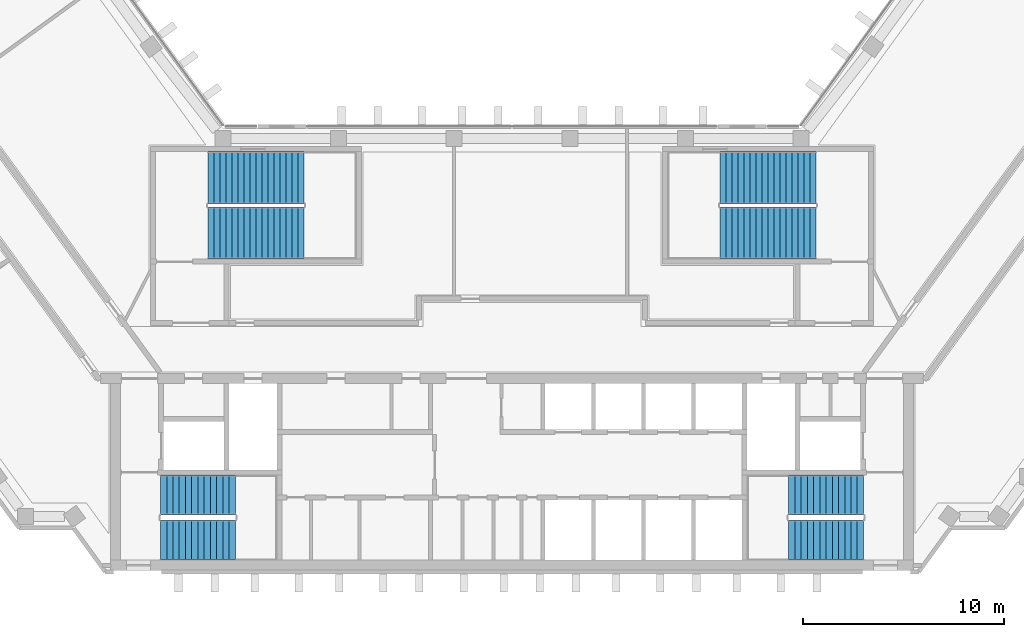
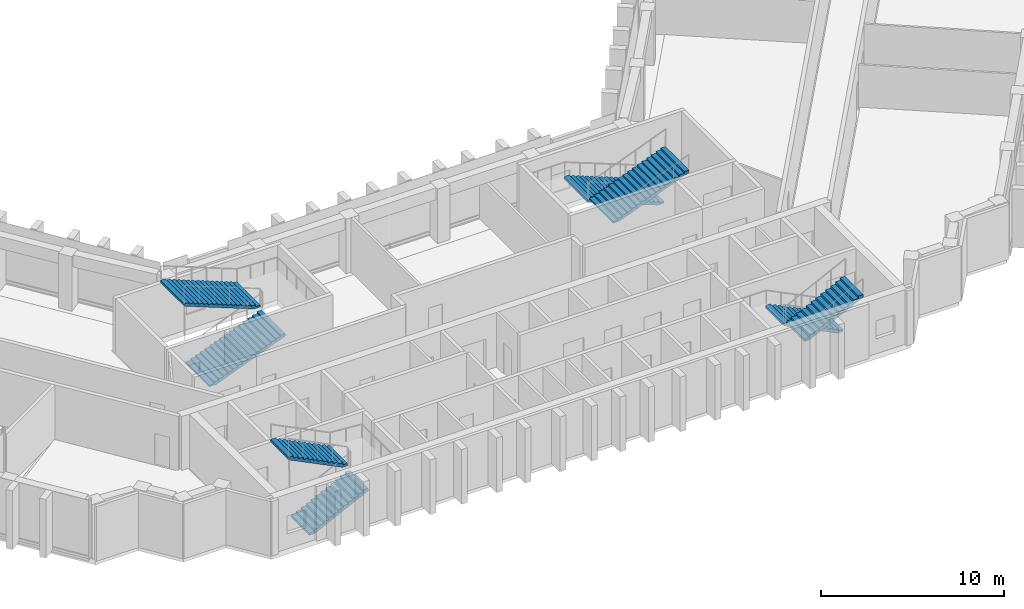
# One storey, part 11 of 13: 8 stair flights, 4 elements without a shape of their own.
"""IFC4 building model written with IfcOpenShell, lengths in metres."""

from ifc_helpers import new_model, si_unit, direction, frame, origin, place, context, subcontext, project, spatial, polyline, outline, extrude, material, type_object, element, aggregate, save


model = new_model("IFC4")

# Units and contexts
model_context = context("Model", 3, precision=1e-05, world=origin(), true_north=direction((0.0, 1.0)))
body_context = subcontext(model_context, "Body", "Model", "MODEL_VIEW")
ifc_project = project(units=[si_unit("LENGTHUNIT", "METRE"), si_unit("AREAUNIT", "SQUARE_METRE"), si_unit("VOLUMEUNIT", "CUBIC_METRE"), si_unit("PLANEANGLEUNIT", "RADIAN"), si_unit("MASSUNIT", "GRAM", prefix="KILO")], contexts=[model_context])

# Site, building, storey
site_placement = place(None, origin())
site = spatial("IfcSite", under=ifc_project, at=site_placement, CompositionType="ELEMENT")
building_placement = place(site_placement, origin())
building = spatial("IfcBuilding", under=site, at=building_placement, Name="Quipu Civic Tower", CompositionType="ELEMENT")
storey_placement = place(building_placement, frame((0.0, 0.0, 156.0)))
storey = spatial("IfcBuildingStorey", under=building, at=storey_placement, Name="L36", CompositionType="ELEMENT", Elevation=156.0)

# Stair, stair flights
ifc_material_1 = material(Name="Concrete C40/50", Category="concrete")
stair_type_1 = type_object("IfcStairType", Name="Half turn stair 2000", PredefinedType="HALF_TURN_STAIR", material=ifc_material_1)
stair_1_placement = place(storey_placement, origin())
stair_1 = element("IfcStair", 1, at=stair_1_placement, inside=storey, type_object=stair_type_1, Name="Exit stair 1", PredefinedType="HALF_TURN_STAIR")
ifc_material_2 = material(Name="Concrete C40/50", Category="concrete")
stair_flight_type_1 = type_object("IfcStairFlightType", Name="Stair flight 2000", PredefinedType="STRAIGHT", material=ifc_material_2)
stair_flight_1_placement = place(storey_placement, frame((-17.5, -9.5, 0.0), z_axis=(0.0, 0.0, 1.0), x_axis=(1.0, 0.0, 0.0)))
stair_flight_1 = element("IfcStairFlight", 2, at=stair_flight_1_placement, type_object=stair_flight_type_1, Name="ST-1 flight 1", NumberOfRisers=13, NumberOfTreads=12, PredefinedType="STRAIGHT", RiserHeight=0.153846154, TreadLength=0.31, context=body_context, shape_type="SweptSolid", body=[
    extrude(outline(polyline([(0.0, 0.0), (0.0, 0.15380859375), (0.31005859375, 0.15380859375), (0.31005859375, 0.3076171875), (0.6201171875, 0.3076171875), (0.6201171875, 0.46142578125), (0.929931640625, 0.46142578125), (0.929931640625, 0.615478515625), (1.239990234375, 0.615478515625), (1.239990234375, 0.769287109375), (1.550048828125, 0.769287109375), (1.550048828125, 0.923095703125), (1.860107421875, 0.923095703125), (1.860107421875, 1.076904296875), (2.169921875, 1.076904296875), (2.169921875, 1.230712890625), (2.47998046875, 1.230712890625), (2.47998046875, 1.384521484375), (2.7900390625, 1.384521484375), (2.7900390625, 1.53857421875), (3.10009765625, 1.53857421875), (3.10009765625, 1.6923828125), (3.409912109375, 1.6923828125), (3.409912109375, 1.84619140625), (3.719970703125, 1.84619140625), (3.719970703125, 2.0), (3.719970703125, 1.6787109375), (0.337158203125, 0.0), (0.0, 0.0)])), frame((0.0, 1.0, 0.0), z_axis=(0.0, -1.0, 0.0), x_axis=(1.0, 0.0, 0.0)), (0.0, 0.0, 1.0), 2.0),
])
stair_flight_2_placement = place(storey_placement, frame((-13.780029296875, -7.25, 2.0), z_axis=(0.0, 0.0, 1.0), x_axis=(-1.0, 0.0, 0.0)))
stair_flight_2 = element("IfcStairFlight", 3, at=stair_flight_2_placement, type_object=stair_flight_type_1, Name="ST-1 flight 2", NumberOfRisers=13, NumberOfTreads=12, PredefinedType="STRAIGHT", RiserHeight=0.153846154, TreadLength=0.31, context=body_context, shape_type="SweptSolid", body=[
    extrude(outline(polyline([(0.0, 0.0), (0.0, 0.15380859375), (0.31005859375, 0.15380859375), (0.31005859375, 0.3076171875), (0.6201171875, 0.3076171875), (0.6201171875, 0.46142578125), (0.929931640625, 0.46142578125), (0.929931640625, 0.615478515625), (1.239990234375, 0.615478515625), (1.239990234375, 0.769287109375), (1.550048828125, 0.769287109375), (1.550048828125, 0.923095703125), (1.860107421875, 0.923095703125), (1.860107421875, 1.076904296875), (2.169921875, 1.076904296875), (2.169921875, 1.230712890625), (2.47998046875, 1.230712890625), (2.47998046875, 1.384521484375), (2.7900390625, 1.384521484375), (2.7900390625, 1.53857421875), (3.10009765625, 1.53857421875), (3.10009765625, 1.6923828125), (3.409912109375, 1.6923828125), (3.409912109375, 1.84619140625), (3.719970703125, 1.84619140625), (3.719970703125, 2.0), (3.719970703125, 1.6787109375), (0.337158203125, 0.0), (0.0, 0.0)])), frame((0.0, 1.0, 0.0), z_axis=(0.0, -1.0, 0.0), x_axis=(1.0, 0.0, 0.0)), (0.0, 0.0, 1.0), 2.0),
])
aggregate(stair_1, [stair_flight_1, stair_flight_2])

stair_2_placement = place(storey_placement, origin())
stair_2 = element("IfcStair", 4, at=stair_2_placement, inside=storey, type_object=stair_type_1, Name="Exit stair 2", PredefinedType="HALF_TURN_STAIR")
stair_flight_3_placement = place(storey_placement, frame((17.5, -7.25, 0.0), z_axis=(0.0, 0.0, 1.0), x_axis=(-1.0, 0.0, 0.0)))
stair_flight_3 = element("IfcStairFlight", 5, at=stair_flight_3_placement, type_object=stair_flight_type_1, Name="ST-2 flight 1", NumberOfRisers=13, NumberOfTreads=12, PredefinedType="STRAIGHT", RiserHeight=0.153846154, TreadLength=0.31, context=body_context, shape_type="SweptSolid", body=[
    extrude(outline(polyline([(0.0, 0.0), (0.0, 0.15380859375), (0.31005859375, 0.15380859375), (0.31005859375, 0.3076171875), (0.6201171875, 0.3076171875), (0.6201171875, 0.46142578125), (0.929931640625, 0.46142578125), (0.929931640625, 0.615478515625), (1.239990234375, 0.615478515625), (1.239990234375, 0.769287109375), (1.550048828125, 0.769287109375), (1.550048828125, 0.923095703125), (1.860107421875, 0.923095703125), (1.860107421875, 1.076904296875), (2.169921875, 1.076904296875), (2.169921875, 1.230712890625), (2.47998046875, 1.230712890625), (2.47998046875, 1.384521484375), (2.7900390625, 1.384521484375), (2.7900390625, 1.53857421875), (3.10009765625, 1.53857421875), (3.10009765625, 1.6923828125), (3.409912109375, 1.6923828125), (3.409912109375, 1.84619140625), (3.719970703125, 1.84619140625), (3.719970703125, 2.0), (3.719970703125, 1.6787109375), (0.337158203125, 0.0), (0.0, 0.0)])), frame((0.0, 1.0, 0.0), z_axis=(0.0, -1.0, 0.0), x_axis=(1.0, 0.0, 0.0)), (0.0, 0.0, 1.0), 2.0),
])
stair_flight_4_placement = place(storey_placement, frame((13.780029296875, -9.5, 2.0), z_axis=(0.0, 0.0, 1.0), x_axis=(1.0, 0.0, 0.0)))
stair_flight_4 = element("IfcStairFlight", 6, at=stair_flight_4_placement, type_object=stair_flight_type_1, Name="ST-2 flight 2", NumberOfRisers=13, NumberOfTreads=12, PredefinedType="STRAIGHT", RiserHeight=0.153846154, TreadLength=0.31, context=body_context, shape_type="SweptSolid", body=[
    extrude(outline(polyline([(0.0, 0.0), (0.0, 0.15380859375), (0.31005859375, 0.15380859375), (0.31005859375, 0.3076171875), (0.6201171875, 0.3076171875), (0.6201171875, 0.46142578125), (0.929931640625, 0.46142578125), (0.929931640625, 0.615478515625), (1.239990234375, 0.615478515625), (1.239990234375, 0.769287109375), (1.550048828125, 0.769287109375), (1.550048828125, 0.923095703125), (1.860107421875, 0.923095703125), (1.860107421875, 1.076904296875), (2.169921875, 1.076904296875), (2.169921875, 1.230712890625), (2.47998046875, 1.230712890625), (2.47998046875, 1.384521484375), (2.7900390625, 1.384521484375), (2.7900390625, 1.53857421875), (3.10009765625, 1.53857421875), (3.10009765625, 1.6923828125), (3.409912109375, 1.6923828125), (3.409912109375, 1.84619140625), (3.719970703125, 1.84619140625), (3.719970703125, 2.0), (3.719970703125, 1.6787109375), (0.337158203125, 0.0), (0.0, 0.0)])), frame((0.0, 1.0, 0.0), z_axis=(0.0, -1.0, 0.0), x_axis=(1.0, 0.0, 0.0)), (0.0, 0.0, 1.0), 2.0),
])
aggregate(stair_2, [stair_flight_3, stair_flight_4])

ifc_material_3 = material(Name="Concrete C40/50", Category="concrete")
stair_type_2 = type_object("IfcStairType", Name="Half turn stair 2600", PredefinedType="HALF_TURN_STAIR", material=ifc_material_3)
stair_3_placement = place(storey_placement, origin())
stair_3 = element("IfcStair", 7, at=stair_3_placement, inside=storey, type_object=stair_type_2, Name="Exit stair 3", PredefinedType="HALF_TURN_STAIR")
ifc_material_4 = material(Name="Concrete C40/50", Category="concrete")
stair_flight_type_2 = type_object("IfcStairFlightType", Name="Stair flight 2600", PredefinedType="STRAIGHT", material=ifc_material_4)
stair_flight_5_placement = place(storey_placement, frame((-15.14990234375, 5.800048828125, 0.0), z_axis=(0.0, 0.0, 1.0), x_axis=(1.0, 0.0, 0.0)))
stair_flight_5 = element("IfcStairFlight", 8, at=stair_flight_5_placement, type_object=stair_flight_type_2, Name="ST-3 flight 1", NumberOfRisers=17, NumberOfTreads=16, PredefinedType="STRAIGHT", RiserHeight=0.117647059, TreadLength=0.3, context=body_context, shape_type="SweptSolid", body=[
    extrude(outline(polyline([(0.0, 0.0), (0.0, 0.11767578125), (0.300048828125, 0.11767578125), (0.300048828125, 0.2353515625), (0.60009765625, 0.2353515625), (0.60009765625, 0.35302734375), (0.89990234375, 0.35302734375), (0.89990234375, 0.470703125), (1.199951171875, 0.470703125), (1.199951171875, 0.588134765625), (1.5, 0.588134765625), (1.5, 0.705810546875), (1.800048828125, 0.705810546875), (1.800048828125, 0.823486328125), (2.10009765625, 0.823486328125), (2.10009765625, 0.941162109375), (2.39990234375, 0.941162109375), (2.39990234375, 1.058837890625), (2.699951171875, 1.058837890625), (2.699951171875, 1.176513671875), (3.0, 1.176513671875), (3.0, 1.294189453125), (3.300048828125, 1.294189453125), (3.300048828125, 1.411865234375), (3.60009765625, 1.411865234375), (3.60009765625, 1.529296875), (3.89990234375, 1.529296875), (3.89990234375, 1.64697265625), (4.199951171875, 1.64697265625), (4.199951171875, 1.7646484375), (4.5, 1.7646484375), (4.5, 1.88232421875), (4.800048828125, 1.88232421875), (4.800048828125, 2.0), (4.800048828125, 1.721435546875), (0.41064453125, 0.0), (0.0, 0.0)])), frame((0.0, 1.300048828125, 0.0), z_axis=(0.0, -1.0, 0.0), x_axis=(1.0, 0.0, 0.0)), (0.0, 0.0, 1.0), 2.60009765625),
])
stair_flight_6_placement = place(storey_placement, frame((-10.35009765625, 8.550048828125, 2.0), z_axis=(0.0, 0.0, 1.0), x_axis=(-1.0, 0.0, 0.0)))
stair_flight_6 = element("IfcStairFlight", 9, at=stair_flight_6_placement, type_object=stair_flight_type_2, Name="ST-3 flight 2", NumberOfRisers=17, NumberOfTreads=16, PredefinedType="STRAIGHT", RiserHeight=0.117647059, TreadLength=0.3, context=body_context, shape_type="SweptSolid", body=[
    extrude(outline(polyline([(0.0, 0.0), (0.0, 0.11767578125), (0.300048828125, 0.11767578125), (0.300048828125, 0.2353515625), (0.60009765625, 0.2353515625), (0.60009765625, 0.35302734375), (0.89990234375, 0.35302734375), (0.89990234375, 0.470703125), (1.199951171875, 0.470703125), (1.199951171875, 0.588134765625), (1.5, 0.588134765625), (1.5, 0.705810546875), (1.800048828125, 0.705810546875), (1.800048828125, 0.823486328125), (2.10009765625, 0.823486328125), (2.10009765625, 0.941162109375), (2.39990234375, 0.941162109375), (2.39990234375, 1.058837890625), (2.699951171875, 1.058837890625), (2.699951171875, 1.176513671875), (3.0, 1.176513671875), (3.0, 1.294189453125), (3.300048828125, 1.294189453125), (3.300048828125, 1.411865234375), (3.60009765625, 1.411865234375), (3.60009765625, 1.529296875), (3.89990234375, 1.529296875), (3.89990234375, 1.64697265625), (4.199951171875, 1.64697265625), (4.199951171875, 1.7646484375), (4.5, 1.7646484375), (4.5, 1.88232421875), (4.800048828125, 1.88232421875), (4.800048828125, 2.0), (4.800048828125, 1.721435546875), (0.41064453125, 0.0), (0.0, 0.0)])), frame((0.0, 1.300048828125, 0.0), z_axis=(0.0, -1.0, 0.0), x_axis=(1.0, 0.0, 0.0)), (0.0, 0.0, 1.0), 2.60009765625),
])
aggregate(stair_3, [stair_flight_5, stair_flight_6])

stair_4_placement = place(storey_placement, origin())
stair_4 = element("IfcStair", 10, at=stair_4_placement, inside=storey, type_object=stair_type_2, Name="Exit stair 4", PredefinedType="HALF_TURN_STAIR")
stair_flight_7_placement = place(storey_placement, frame((15.14990234375, 8.550048828125, 0.0), z_axis=(0.0, 0.0, 1.0), x_axis=(-1.0, 0.0, 0.0)))
stair_flight_7 = element("IfcStairFlight", 11, at=stair_flight_7_placement, type_object=stair_flight_type_2, Name="ST-4 flight 1", NumberOfRisers=17, NumberOfTreads=16, PredefinedType="STRAIGHT", RiserHeight=0.117647059, TreadLength=0.3, context=body_context, shape_type="SweptSolid", body=[
    extrude(outline(polyline([(0.0, 0.0), (0.0, 0.11767578125), (0.300048828125, 0.11767578125), (0.300048828125, 0.2353515625), (0.60009765625, 0.2353515625), (0.60009765625, 0.35302734375), (0.89990234375, 0.35302734375), (0.89990234375, 0.470703125), (1.199951171875, 0.470703125), (1.199951171875, 0.588134765625), (1.5, 0.588134765625), (1.5, 0.705810546875), (1.800048828125, 0.705810546875), (1.800048828125, 0.823486328125), (2.10009765625, 0.823486328125), (2.10009765625, 0.941162109375), (2.39990234375, 0.941162109375), (2.39990234375, 1.058837890625), (2.699951171875, 1.058837890625), (2.699951171875, 1.176513671875), (3.0, 1.176513671875), (3.0, 1.294189453125), (3.300048828125, 1.294189453125), (3.300048828125, 1.411865234375), (3.60009765625, 1.411865234375), (3.60009765625, 1.529296875), (3.89990234375, 1.529296875), (3.89990234375, 1.64697265625), (4.199951171875, 1.64697265625), (4.199951171875, 1.7646484375), (4.5, 1.7646484375), (4.5, 1.88232421875), (4.800048828125, 1.88232421875), (4.800048828125, 2.0), (4.800048828125, 1.721435546875), (0.41064453125, 0.0), (0.0, 0.0)])), frame((0.0, 1.300048828125, 0.0), z_axis=(0.0, -1.0, 0.0), x_axis=(1.0, 0.0, 0.0)), (0.0, 0.0, 1.0), 2.60009765625),
])
stair_flight_8_placement = place(storey_placement, frame((10.35009765625, 5.800048828125, 2.0), z_axis=(0.0, 0.0, 1.0), x_axis=(1.0, 0.0, 0.0)))
stair_flight_8 = element("IfcStairFlight", 12, at=stair_flight_8_placement, type_object=stair_flight_type_2, Name="ST-4 flight 2", NumberOfRisers=17, NumberOfTreads=16, PredefinedType="STRAIGHT", RiserHeight=0.117647059, TreadLength=0.3, context=body_context, shape_type="SweptSolid", body=[
    extrude(outline(polyline([(0.0, 0.0), (0.0, 0.11767578125), (0.300048828125, 0.11767578125), (0.300048828125, 0.2353515625), (0.60009765625, 0.2353515625), (0.60009765625, 0.35302734375), (0.89990234375, 0.35302734375), (0.89990234375, 0.470703125), (1.199951171875, 0.470703125), (1.199951171875, 0.588134765625), (1.5, 0.588134765625), (1.5, 0.705810546875), (1.800048828125, 0.705810546875), (1.800048828125, 0.823486328125), (2.10009765625, 0.823486328125), (2.10009765625, 0.941162109375), (2.39990234375, 0.941162109375), (2.39990234375, 1.058837890625), (2.699951171875, 1.058837890625), (2.699951171875, 1.176513671875), (3.0, 1.176513671875), (3.0, 1.294189453125), (3.300048828125, 1.294189453125), (3.300048828125, 1.411865234375), (3.60009765625, 1.411865234375), (3.60009765625, 1.529296875), (3.89990234375, 1.529296875), (3.89990234375, 1.64697265625), (4.199951171875, 1.64697265625), (4.199951171875, 1.7646484375), (4.5, 1.7646484375), (4.5, 1.88232421875), (4.800048828125, 1.88232421875), (4.800048828125, 2.0), (4.800048828125, 1.721435546875), (0.41064453125, 0.0), (0.0, 0.0)])), frame((0.0, 1.300048828125, 0.0), z_axis=(0.0, -1.0, 0.0), x_axis=(1.0, 0.0, 0.0)), (0.0, 0.0, 1.0), 2.60009765625),
])
aggregate(stair_4, [stair_flight_7, stair_flight_8])

save(model, "model.ifc")
